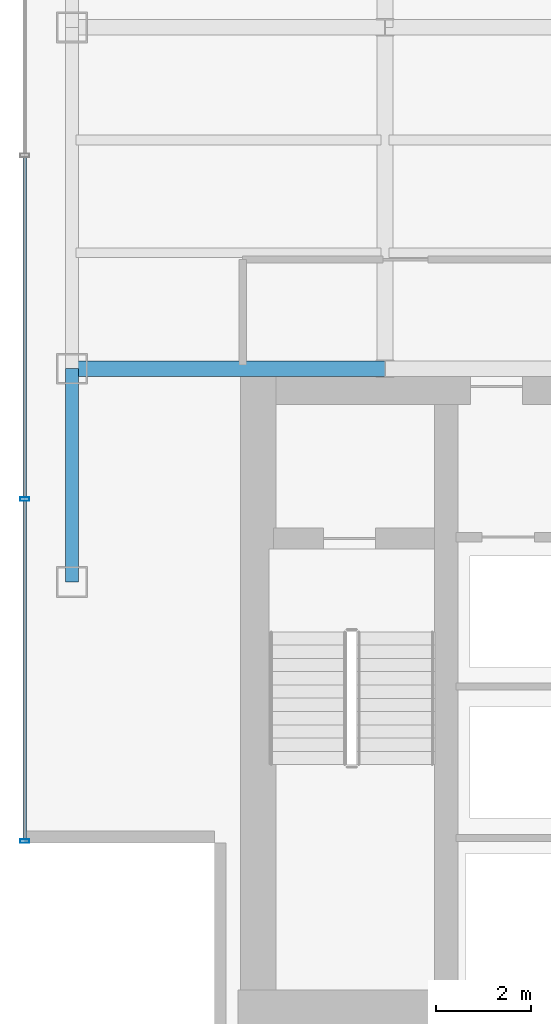
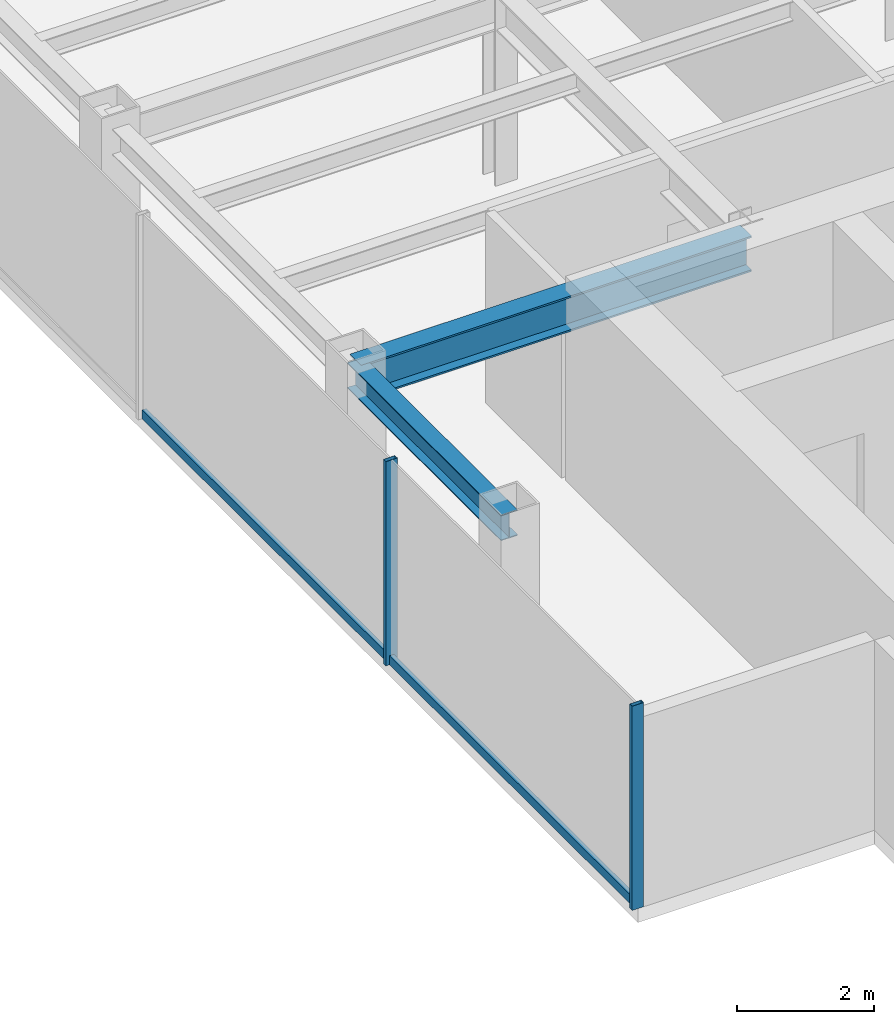
# One storey, part 3 of 25: 4 members, 2 beams, 1 element without a shape of its own.
"""IFC4 building model written with IfcOpenShell, lengths in metres."""

from ifc_helpers import new_model, si_unit, derived_unit, direction, frame, origin, origin_2d, place, context, subcontext, project, spatial, hollow_rectangle, i_section, extrude, source, transform, mapped, material, material_profile, profile_set, type_object, element, aggregate, save


model = new_model("IFC4")

# Units and contexts
model_context = context("Model", 3, precision=1e-05, world=origin(), true_north=direction((0.0, 1.0)))
body_context = subcontext(model_context, "Body", "Model", "MODEL_VIEW")
ifc_project = project(units=[si_unit("LENGTHUNIT", "METRE"), si_unit("AREAUNIT", "SQUARE_METRE"), si_unit("VOLUMEUNIT", "CUBIC_METRE"), si_unit("PLANEANGLEUNIT", "RADIAN"), si_unit("MASSUNIT", "GRAM", prefix="KILO"), derived_unit("THERMALTRANSMITTANCEUNIT", [(si_unit("POWERUNIT", "WATT"), 1), (si_unit("LENGTHUNIT", "METRE"), -2), (si_unit("THERMODYNAMICTEMPERATUREUNIT", "KELVIN"), -1)])], contexts=[model_context])

# Site, building, storey
site_placement = place(None, origin())
site = spatial("IfcSite", under=ifc_project, at=site_placement, CompositionType="ELEMENT")
building_placement = place(site_placement, origin())
building = spatial("IfcBuilding", under=site, at=building_placement, Name="Skarnbrae Concourse Arena and Tower", CompositionType="ELEMENT")
storey_placement = place(building_placement, frame((0.0, 0.0, 144.25)))
storey = spatial("IfcBuildingStorey", under=building, at=storey_placement, Name="L36", CompositionType="ELEMENT", Elevation=144.25)

# Beams
ifc_material_1 = material(Name="Steel CSA G40.21 350W", Category="steel")
ifc_material_profile_1 = material_profile(ifc_material_1, i_section(OverallWidth=0.3291015625, OverallDepth=0.635009765625, WebThickness=0.017822265625, FlangeThickness=0.031005859375, at=origin_2d()), Name="W610X241")
ifc_profile_set_1 = profile_set([ifc_material_profile_1], Name="Steel CSA G40.21 350W")
beam_type_1 = type_object("IfcBeamType", Name="BM-GIRD-W610X241", PredefinedType="BEAM", material=ifc_profile_set_1)
shared_shape_1 = source(origin(), body_context, "Body", "SweptSolid", [
    extrude(i_section(OverallWidth=0.3291015625, OverallDepth=0.635009765625, WebThickness=0.017822265625, FlangeThickness=0.031005859375, at=origin_2d()), origin(), (0.0, 0.0, 1.0), 6.60009765625),
])
beam_1_placement = place(storey_placement, frame((1.0, 14.0, 3.08251953125), z_axis=(1.0, 0.0, 0.0), x_axis=(0.0, 1.0, 0.0)))
element("IfcBeam", 1, at=beam_1_placement, inside=storey, type_object=beam_type_1, Name="L36 Primary E-W girder Y14.0-1", PredefinedType="BEAM", context=body_context, shape_type="MappedRepresentation", body=[
    mapped(shared_shape_1, transform((0.0, 0.0, 0.0))),
])
ifc_material_profile_2 = material_profile(ifc_material_1, i_section(OverallWidth=0.280029296875, OverallDepth=0.462890625, WebThickness=0.0107421875, FlangeThickness=0.017333984375, at=origin_2d()), Name="W460X113")
ifc_profile_set_2 = profile_set([ifc_material_profile_2], Name="Steel CSA G40.21 350W")
beam_type_2 = type_object("IfcBeamType", Name="BM-SPAN-W460X113", PredefinedType="SPANDREL", material=ifc_profile_set_2)
shared_shape_2 = source(origin(), body_context, "Body", "SweptSolid", [
    extrude(i_section(OverallWidth=0.280029296875, OverallDepth=0.462890625, WebThickness=0.0107421875, FlangeThickness=0.017333984375, at=origin_2d()), origin(), (0.0, 0.0, 1.0), 4.5),
])
beam_2_placement = place(storey_placement, frame((1.0, 9.5, 3.16845703125), z_axis=(0.0, 1.0, 0.0), x_axis=(-1.0, 0.0, 0.0)))
element("IfcBeam", 2, at=beam_2_placement, inside=storey, type_object=beam_type_2, Name="L36 Perimeter spandrel X1.0-1", PredefinedType="SPANDREL", context=body_context, shape_type="MappedRepresentation", body=[
    mapped(shared_shape_2, transform((0.0, 0.0, 0.0))),
])

# Curtain wall, members
ifc_material_2 = material(Name="Bronze anodised aluminium 6063-T6", Category="aluminium")
curtain_wall_type = type_object("IfcCurtainWallType", Name="CW-SYS-04-MIDZONE", PredefinedType="USERDEFINED", material=ifc_material_2)
curtain_wall_placement = place(storey_placement, origin())
curtain_wall = element("IfcCurtainWall", 3, at=curtain_wall_placement, inside=storey, type_object=curtain_wall_type, Name="L36 Unitised curtain wall CW-L36-E18", ObjectType="UNITISED CURTAIN WALL", PredefinedType="USERDEFINED")
ifc_material_profile_3 = material_profile(ifc_material_2, hollow_rectangle(XDim=0.074951171875, YDim=0.195068359375, WallThickness=0.00439453125, at=origin_2d()), Name="ALU-MULL-75X195")
ifc_profile_set_3 = profile_set([ifc_material_profile_3], Name="Bronze anodised aluminium 6063-T6")
member_type_1 = type_object("IfcMemberType", Name="CWM-CW-04", PredefinedType="MULLION", material=ifc_profile_set_3)
shared_shape_3 = source(origin(), body_context, "Body", "SweptSolid", [
    extrude(hollow_rectangle(XDim=0.074951171875, YDim=0.195068359375, WallThickness=0.00439453125, at=origin_2d()), origin(), (0.0, 0.0, 1.0), 3.64990234375),
])
member_1_placement = place(storey_placement, frame((0.0, 11.25, 0.0), z_axis=(0.0, 0.0, 1.0), x_axis=(0.0, -1.0, 0.0)))
member_1 = element("IfcMember", 4, at=member_1_placement, type_object=member_type_1, Name="CW-L36-E18 Mullion 4", PredefinedType="MULLION", context=body_context, shape_type="MappedRepresentation", body=[
    mapped(shared_shape_3, transform((0.0, 0.0, 0.0))),
])
member_2_placement = place(storey_placement, frame((0.0, 4.03759765625, 0.0), z_axis=(0.0, 0.0, 1.0), x_axis=(0.0, -1.0, 0.0)))
member_2 = element("IfcMember", 5, at=member_2_placement, type_object=member_type_1, Name="CW-L36-E18 Mullion 5", PredefinedType="MULLION", context=body_context, shape_type="MappedRepresentation", body=[
    mapped(shared_shape_3, transform((0.0, 0.0, 0.0))),
])
ifc_material_profile_4 = material_profile(ifc_material_2, hollow_rectangle(XDim=0.074951171875, YDim=0.159912109375, WallThickness=0.00439453125, at=origin_2d()), Name="ALU-TRAN-75X160")
ifc_profile_set_4 = profile_set([ifc_material_profile_4], Name="Bronze anodised aluminium 6063-T6")
member_type_2 = type_object("IfcMemberType", Name="CWT-CW-04", PredefinedType="USERDEFINED", material=ifc_profile_set_4)
shared_shape_4 = source(origin(), body_context, "Body", "SweptSolid", [
    extrude(hollow_rectangle(XDim=0.074951171875, YDim=0.159912109375, WallThickness=0.00439453125, at=origin_2d()), origin(), (0.0, 0.0, 1.0), 7.137451171875),
])
member_3_placement = place(storey_placement, frame((0.0, 11.21240234375, 0.080078125), z_axis=(0.0, -1.0, 0.0), x_axis=(1.0, 0.0, 0.0)))
member_3 = element("IfcMember", 6, at=member_3_placement, type_object=member_type_2, Name="CW-L36-E18 Transom 4", ObjectType="TRANSOM", PredefinedType="USERDEFINED", context=body_context, shape_type="MappedRepresentation", body=[
    mapped(shared_shape_4, transform((0.0, 0.0, 0.0))),
])
shared_shape_5 = source(origin(), body_context, "Body", "SweptSolid", [
    extrude(hollow_rectangle(XDim=0.074951171875, YDim=0.159912109375, WallThickness=0.00439453125, at=origin_2d()), origin(), (0.0, 0.0, 1.0), 7.1748046875),
])
member_4_placement = place(storey_placement, frame((0.0, 18.46240234375, 0.080078125), z_axis=(0.0, -1.0, 0.0), x_axis=(1.0, 0.0, 0.0)))
member_4 = element("IfcMember", 7, at=member_4_placement, type_object=member_type_2, Name="CW-L36-E18 Transom 3", ObjectType="TRANSOM", PredefinedType="USERDEFINED", context=body_context, shape_type="MappedRepresentation", body=[
    mapped(shared_shape_5, transform((0.0, 0.0, 0.0))),
])
aggregate(curtain_wall, [member_1, member_2, member_4, member_3])

save(model, "model.ifc")
